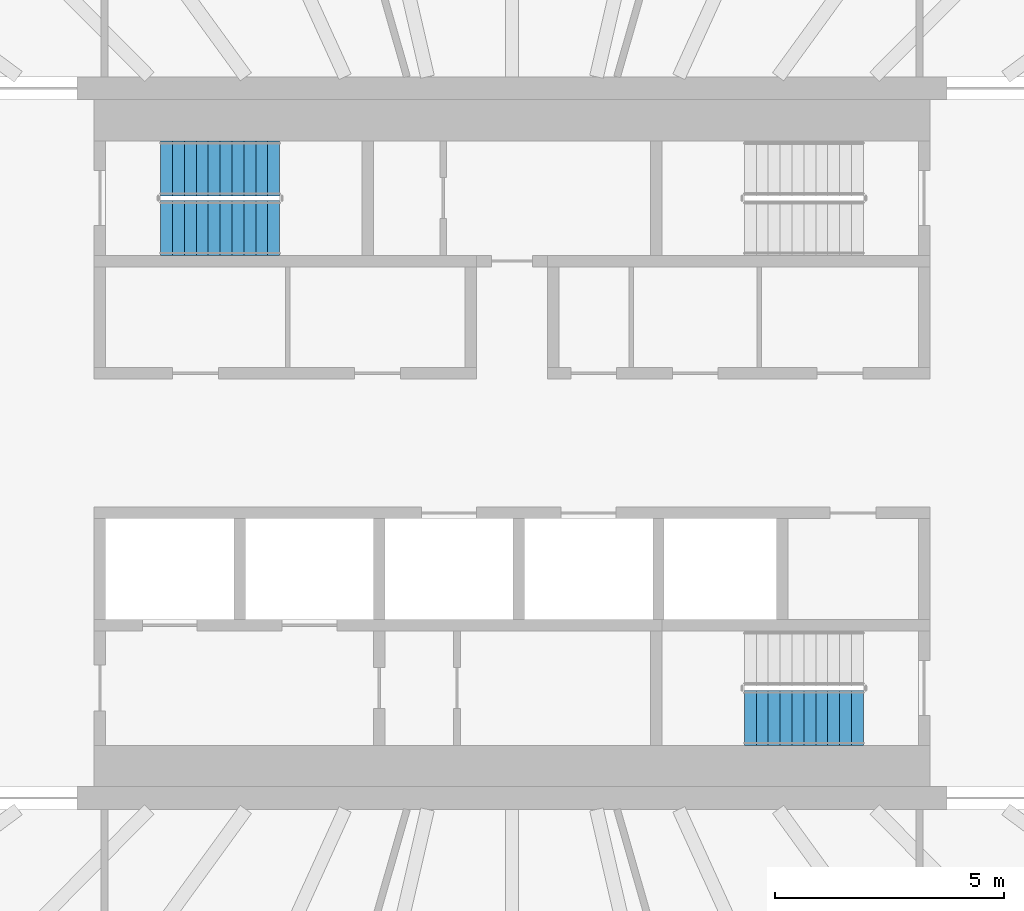
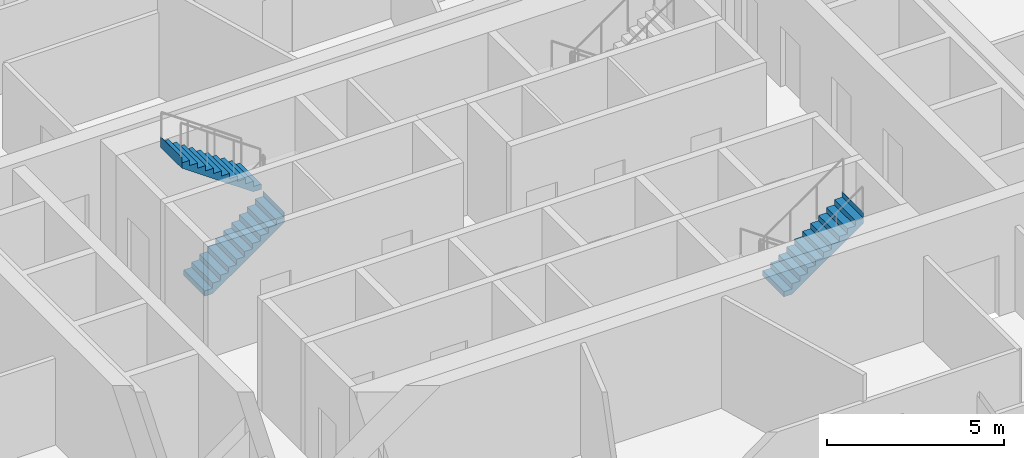
# One storey, part 16 of 24: 3 stair flights, 2 elements without a shape of their own.
"""IFC4 building model written with IfcOpenShell, lengths in metres."""

from ifc_helpers import new_model, si_unit, direction, frame, origin, place, context, subcontext, project, spatial, triangles, material, type_object, element, aggregate, save


model = new_model("IFC4")

# Units and contexts
model_context = context("Model", 3, precision=1e-05, world=origin(), true_north=direction((0.0, 1.0)))
body_context = subcontext(model_context, "Body", "Model", "MODEL_VIEW")
ifc_project = project(units=[si_unit("LENGTHUNIT", "METRE"), si_unit("AREAUNIT", "SQUARE_METRE"), si_unit("VOLUMEUNIT", "CUBIC_METRE"), si_unit("PLANEANGLEUNIT", "RADIAN"), si_unit("MASSUNIT", "GRAM", prefix="KILO")], contexts=[model_context])

# Site, building, storey
site_placement = place(None, origin())
site = spatial("IfcSite", under=ifc_project, at=site_placement, CompositionType="ELEMENT")
building_placement = place(site_placement, origin())
building = spatial("IfcBuilding", under=site, at=building_placement, Name="Sahrelin Media Tower", CompositionType="ELEMENT")
storey_placement = place(building_placement, frame((0.0, 0.0, 153.60009765625)))
storey = spatial("IfcBuildingStorey", under=building, at=storey_placement, Name="L31", CompositionType="ELEMENT", Elevation=153.60009765625)

# Stair, stair flights
ifc_material = material(Name="Concrete C40/50", Category="concrete")
stair_type = type_object("IfcStairType", Name="Exit stair 1200", PredefinedType="HALF_TURN_STAIR", material=ifc_material)
placement = place(storey_placement, origin())
stair_1 = element("IfcStair", 1, at=placement, inside=storey, type_object=stair_type, Name="L31 Exit stair ST1", PredefinedType="HALF_TURN_STAIR")
stair_flight_type = type_object("IfcStairFlightType", Name="Stair flight 1200", PredefinedType="STRAIGHT", material=ifc_material)
stair_flight_1_placement = place(storey_placement, frame((-7.675048828125, 4.699951171875, 0.0), z_axis=(0.0, 0.0, 1.0), x_axis=(1.0, 0.0, 0.0)))
stair_flight_1 = element("IfcStairFlight", 2, at=stair_flight_1_placement, type_object=stair_flight_type, Name="ST1 flight 1", NumberOfRisers=11, NumberOfTreads=10, PredefinedType="STRAIGHT", RiserHeight=0.181818182, TreadLength=0.26, context=body_context, shape_type="Tessellation", body=[
    triangles([(0.261474609375, 0.60009765625, 0.0), (0.261474609375, 0.300048828125, 0.0), (0.261474609375, 0.0, 0.0), (0.261474609375, -0.300048828125, 0.0), (0.261474609375, -0.60009765625, 0.0), (2.60009765625, 0.60009765625, 1.63525390625), (2.60009765625, 0.300048828125, 1.63525390625), (2.60009765625, 0.0, 1.63525390625), (2.60009765625, -0.300048828125, 1.63525390625), (2.60009765625, -0.60009765625, 1.63525390625), (2.60009765625, 0.60009765625, 2.0), (2.60009765625, 0.300048828125, 2.0), (2.60009765625, 0.0, 2.0), (2.60009765625, -0.300048828125, 2.0), (2.60009765625, -0.60009765625, 2.0), (2.597900390625, 0.60009765625, 2.0), (2.597900390625, 0.300048828125, 2.0), (2.597900390625, 0.0, 2.0), (2.597900390625, -0.300048828125, 2.0), (2.597900390625, -0.60009765625, 2.0), (2.597900390625, 0.60009765625, 1.818115234375), (2.597900390625, 0.300048828125, 1.818115234375), (2.597900390625, 0.0, 1.818115234375), (2.597900390625, -0.300048828125, 1.818115234375), (2.597900390625, -0.60009765625, 1.818115234375), (2.340087890625, 0.60009765625, 1.818115234375), (2.340087890625, 0.300048828125, 1.818115234375), (2.340087890625, 0.0, 1.818115234375), (2.340087890625, -0.300048828125, 1.818115234375), (2.340087890625, -0.60009765625, 1.818115234375), (2.340087890625, 0.60009765625, 1.636474609375), (2.340087890625, 0.300048828125, 1.636474609375), (2.340087890625, 0.0, 1.636474609375), (2.340087890625, -0.300048828125, 1.636474609375), (2.340087890625, -0.60009765625, 1.636474609375), (2.080078125, 0.60009765625, 1.636474609375), (2.080078125, 0.300048828125, 1.636474609375), (2.080078125, 0.0, 1.636474609375), (2.080078125, -0.300048828125, 1.636474609375), (2.080078125, -0.60009765625, 1.636474609375), (2.080078125, 0.60009765625, 1.45458984375), (2.080078125, 0.300048828125, 1.45458984375), (2.080078125, 0.0, 1.45458984375), (2.080078125, -0.300048828125, 1.45458984375), (2.080078125, -0.60009765625, 1.45458984375), (1.820068359375, 0.60009765625, 1.45458984375), (1.820068359375, 0.300048828125, 1.45458984375), (1.820068359375, 0.0, 1.45458984375), (1.820068359375, -0.300048828125, 1.45458984375), (1.820068359375, -0.60009765625, 1.45458984375), (1.820068359375, 0.60009765625, 1.272705078125), (1.820068359375, 0.300048828125, 1.272705078125), (1.820068359375, 0.0, 1.272705078125), (1.820068359375, -0.300048828125, 1.272705078125), (1.820068359375, -0.60009765625, 1.272705078125), (1.56005859375, 0.60009765625, 1.272705078125), (1.56005859375, 0.300048828125, 1.272705078125), (1.56005859375, 0.0, 1.272705078125), (1.56005859375, -0.300048828125, 1.272705078125), (1.56005859375, -0.60009765625, 1.272705078125), (1.56005859375, 0.60009765625, 1.0908203125), (1.56005859375, 0.300048828125, 1.0908203125), (1.56005859375, 0.0, 1.0908203125), (1.56005859375, -0.300048828125, 1.0908203125), (1.56005859375, -0.60009765625, 1.0908203125), (1.300048828125, 0.60009765625, 1.0908203125), (1.300048828125, 0.300048828125, 1.0908203125), (1.300048828125, 0.0, 1.0908203125), (1.300048828125, -0.300048828125, 1.0908203125), (1.300048828125, -0.60009765625, 1.0908203125), (1.300048828125, 0.60009765625, 0.9091796875), (1.300048828125, 0.300048828125, 0.9091796875), (1.300048828125, 0.0, 0.9091796875), (1.300048828125, -0.300048828125, 0.9091796875), (1.300048828125, -0.60009765625, 0.9091796875), (1.0400390625, 0.60009765625, 0.9091796875), (1.0400390625, 0.300048828125, 0.9091796875), (1.0400390625, 0.0, 0.9091796875), (1.0400390625, -0.300048828125, 0.9091796875), (1.0400390625, -0.60009765625, 0.9091796875), (1.0400390625, 0.60009765625, 0.727294921875), (1.0400390625, 0.300048828125, 0.727294921875), (1.0400390625, 0.0, 0.727294921875), (1.0400390625, -0.300048828125, 0.727294921875), (1.0400390625, -0.60009765625, 0.727294921875), (0.780029296875, 0.60009765625, 0.727294921875), (0.780029296875, 0.300048828125, 0.727294921875), (0.780029296875, 0.0, 0.727294921875), (0.780029296875, -0.300048828125, 0.727294921875), (0.780029296875, -0.60009765625, 0.727294921875), (0.780029296875, 0.60009765625, 0.54541015625), (0.780029296875, 0.300048828125, 0.54541015625), (0.780029296875, 0.0, 0.54541015625), (0.780029296875, -0.300048828125, 0.54541015625), (0.780029296875, -0.60009765625, 0.54541015625), (0.52001953125, 0.60009765625, 0.54541015625), (0.52001953125, 0.300048828125, 0.54541015625), (0.52001953125, 0.0, 0.54541015625), (0.52001953125, -0.300048828125, 0.54541015625), (0.52001953125, -0.60009765625, 0.54541015625), (0.52001953125, 0.60009765625, 0.363525390625), (0.52001953125, 0.300048828125, 0.363525390625), (0.52001953125, 0.0, 0.363525390625), (0.52001953125, -0.300048828125, 0.363525390625), (0.52001953125, -0.60009765625, 0.363525390625), (0.260009765625, 0.60009765625, 0.363525390625), (0.260009765625, 0.300048828125, 0.363525390625), (0.260009765625, 0.0, 0.363525390625), (0.260009765625, -0.300048828125, 0.363525390625), (0.260009765625, -0.60009765625, 0.363525390625), (0.260009765625, 0.60009765625, 0.181884765625), (0.260009765625, 0.300048828125, 0.181884765625), (0.260009765625, 0.0, 0.181884765625), (0.260009765625, -0.300048828125, 0.181884765625), (0.260009765625, -0.60009765625, 0.181884765625), (0.0, 0.60009765625, 0.181884765625), (0.0, 0.300048828125, 0.181884765625), (0.0, 0.0, 0.181884765625), (0.0, -0.300048828125, 0.181884765625), (0.0, -0.60009765625, 0.181884765625), (0.0, 0.60009765625, 0.0), (0.0, 0.300048828125, 0.0), (0.0, 0.0, 0.0), (0.0, -0.300048828125, 0.0), (0.0, -0.60009765625, 0.0)], [[1, 6, 7], [1, 7, 2], [2, 7, 8], [2, 8, 3], [3, 8, 9], [3, 9, 4], [4, 9, 10], [4, 10, 5], [6, 11, 12], [6, 12, 7], [7, 12, 13], [7, 13, 8], [8, 13, 14], [8, 14, 9], [9, 14, 15], [9, 15, 10], [11, 16, 17], [11, 17, 12], [12, 17, 18], [12, 18, 13], [13, 18, 19], [13, 19, 14], [14, 19, 20], [14, 20, 15], [16, 21, 22], [16, 22, 17], [17, 22, 23], [17, 23, 18], [18, 23, 24], [18, 24, 19], [19, 24, 25], [19, 25, 20], [21, 26, 27], [21, 27, 22], [22, 27, 28], [22, 28, 23], [23, 28, 29], [23, 29, 24], [24, 29, 30], [24, 30, 25], [26, 31, 32], [26, 32, 27], [27, 32, 33], [27, 33, 28], [28, 33, 34], [28, 34, 29], [29, 34, 35], [29, 35, 30], [31, 36, 37], [31, 37, 32], [32, 37, 38], [32, 38, 33], [33, 38, 39], [33, 39, 34], [34, 39, 40], [34, 40, 35], [36, 41, 42], [36, 42, 37], [37, 42, 43], [37, 43, 38], [38, 43, 44], [38, 44, 39], [39, 44, 45], [39, 45, 40], [41, 46, 47], [41, 47, 42], [42, 47, 48], [42, 48, 43], [43, 48, 49], [43, 49, 44], [44, 49, 50], [44, 50, 45], [46, 51, 52], [46, 52, 47], [47, 52, 53], [47, 53, 48], [48, 53, 54], [48, 54, 49], [49, 54, 55], [49, 55, 50], [51, 56, 57], [51, 57, 52], [52, 57, 58], [52, 58, 53], [53, 58, 59], [53, 59, 54], [54, 59, 60], [54, 60, 55], [56, 61, 62], [56, 62, 57], [57, 62, 63], [57, 63, 58], [58, 63, 64], [58, 64, 59], [59, 64, 65], [59, 65, 60], [61, 66, 67], [61, 67, 62], [62, 67, 68], [62, 68, 63], [63, 68, 69], [63, 69, 64], [64, 69, 70], [64, 70, 65], [66, 71, 72], [66, 72, 67], [67, 72, 73], [67, 73, 68], [68, 73, 74], [68, 74, 69], [69, 74, 75], [69, 75, 70], [71, 76, 77], [71, 77, 72], [72, 77, 78], [72, 78, 73], [73, 78, 79], [73, 79, 74], [74, 79, 80], [74, 80, 75], [76, 81, 82], [76, 82, 77], [77, 82, 83], [77, 83, 78], [78, 83, 84], [78, 84, 79], [79, 84, 85], [79, 85, 80], [81, 86, 87], [81, 87, 82], [82, 87, 88], [82, 88, 83], [83, 88, 89], [83, 89, 84], [84, 89, 90], [84, 90, 85], [86, 91, 92], [86, 92, 87], [87, 92, 93], [87, 93, 88], [88, 93, 94], [88, 94, 89], [89, 94, 95], [89, 95, 90], [91, 96, 97], [91, 97, 92], [92, 97, 98], [92, 98, 93], [93, 98, 99], [93, 99, 94], [94, 99, 100], [94, 100, 95], [96, 101, 102], [96, 102, 97], [97, 102, 103], [97, 103, 98], [98, 103, 104], [98, 104, 99], [99, 104, 105], [99, 105, 100], [101, 106, 107], [101, 107, 102], [102, 107, 108], [102, 108, 103], [103, 108, 109], [103, 109, 104], [104, 109, 110], [104, 110, 105], [106, 111, 112], [106, 112, 107], [107, 112, 113], [107, 113, 108], [108, 113, 114], [108, 114, 109], [109, 114, 115], [109, 115, 110], [111, 116, 117], [111, 117, 112], [112, 117, 118], [112, 118, 113], [113, 118, 119], [113, 119, 114], [114, 119, 120], [114, 120, 115], [116, 121, 122], [116, 122, 117], [117, 122, 123], [117, 123, 118], [118, 123, 124], [118, 124, 119], [119, 124, 125], [119, 125, 120], [121, 1, 2], [121, 2, 122], [122, 2, 3], [122, 3, 123], [123, 3, 4], [123, 4, 124], [124, 4, 5], [124, 5, 125], [115, 120, 125], [111, 121, 116], [115, 105, 110], [111, 106, 101], [105, 95, 100], [101, 96, 91], [95, 85, 90], [91, 86, 81], [85, 75, 80], [81, 76, 71], [75, 65, 70], [71, 66, 61], [65, 55, 60], [61, 56, 51], [55, 45, 50], [51, 46, 41], [45, 35, 40], [41, 36, 31], [35, 25, 30], [31, 26, 21], [25, 15, 20], [21, 16, 11], [125, 5, 115], [121, 111, 1], [25, 10, 15], [21, 11, 6], [105, 115, 5], [101, 1, 111], [35, 10, 25], [31, 21, 6], [95, 105, 5], [91, 1, 101], [45, 10, 35], [41, 31, 6], [85, 95, 5], [81, 1, 91], [55, 10, 45], [51, 41, 6], [75, 85, 5], [71, 1, 81], [65, 10, 55], [61, 51, 6], [5, 10, 75], [1, 71, 6], [75, 10, 65], [71, 61, 6]], closed=True),
])
stair_flight_2_placement = place(storey_placement, frame((-5.074951171875, 6.0, 2.0), z_axis=(0.0, 0.0, 1.0), x_axis=(-1.0, 0.0, 0.0)))
stair_flight_2 = element("IfcStairFlight", 3, at=stair_flight_2_placement, type_object=stair_flight_type, Name="ST1 flight 2", NumberOfRisers=11, NumberOfTreads=10, PredefinedType="STRAIGHT", RiserHeight=0.181818182, TreadLength=0.26, context=body_context, shape_type="Tessellation", body=[
    triangles([(0.261474609375, 0.60009765625, 0.0), (0.261474609375, 0.300048828125, 0.0), (0.261474609375, 0.0, 0.0), (0.261474609375, -0.300048828125, 0.0), (0.261474609375, -0.60009765625, 0.0), (2.60009765625, 0.60009765625, 1.63525390625), (2.60009765625, 0.300048828125, 1.63525390625), (2.60009765625, 0.0, 1.63525390625), (2.60009765625, -0.300048828125, 1.63525390625), (2.60009765625, -0.60009765625, 1.63525390625), (2.60009765625, 0.60009765625, 2.0), (2.60009765625, 0.300048828125, 2.0), (2.60009765625, 0.0, 2.0), (2.60009765625, -0.300048828125, 2.0), (2.60009765625, -0.60009765625, 2.0), (2.597900390625, 0.60009765625, 2.0), (2.597900390625, 0.300048828125, 2.0), (2.597900390625, 0.0, 2.0), (2.597900390625, -0.300048828125, 2.0), (2.597900390625, -0.60009765625, 2.0), (2.597900390625, 0.60009765625, 1.818115234375), (2.597900390625, 0.300048828125, 1.818115234375), (2.597900390625, 0.0, 1.818115234375), (2.597900390625, -0.300048828125, 1.818115234375), (2.597900390625, -0.60009765625, 1.818115234375), (2.340087890625, 0.60009765625, 1.818115234375), (2.340087890625, 0.300048828125, 1.818115234375), (2.340087890625, 0.0, 1.818115234375), (2.340087890625, -0.300048828125, 1.818115234375), (2.340087890625, -0.60009765625, 1.818115234375), (2.340087890625, 0.60009765625, 1.636474609375), (2.340087890625, 0.300048828125, 1.636474609375), (2.340087890625, 0.0, 1.636474609375), (2.340087890625, -0.300048828125, 1.636474609375), (2.340087890625, -0.60009765625, 1.636474609375), (2.080078125, 0.60009765625, 1.636474609375), (2.080078125, 0.300048828125, 1.636474609375), (2.080078125, 0.0, 1.636474609375), (2.080078125, -0.300048828125, 1.636474609375), (2.080078125, -0.60009765625, 1.636474609375), (2.080078125, 0.60009765625, 1.45458984375), (2.080078125, 0.300048828125, 1.45458984375), (2.080078125, 0.0, 1.45458984375), (2.080078125, -0.300048828125, 1.45458984375), (2.080078125, -0.60009765625, 1.45458984375), (1.820068359375, 0.60009765625, 1.45458984375), (1.820068359375, 0.300048828125, 1.45458984375), (1.820068359375, 0.0, 1.45458984375), (1.820068359375, -0.300048828125, 1.45458984375), (1.820068359375, -0.60009765625, 1.45458984375), (1.820068359375, 0.60009765625, 1.272705078125), (1.820068359375, 0.300048828125, 1.272705078125), (1.820068359375, 0.0, 1.272705078125), (1.820068359375, -0.300048828125, 1.272705078125), (1.820068359375, -0.60009765625, 1.272705078125), (1.56005859375, 0.60009765625, 1.272705078125), (1.56005859375, 0.300048828125, 1.272705078125), (1.56005859375, 0.0, 1.272705078125), (1.56005859375, -0.300048828125, 1.272705078125), (1.56005859375, -0.60009765625, 1.272705078125), (1.56005859375, 0.60009765625, 1.0908203125), (1.56005859375, 0.300048828125, 1.0908203125), (1.56005859375, 0.0, 1.0908203125), (1.56005859375, -0.300048828125, 1.0908203125), (1.56005859375, -0.60009765625, 1.0908203125), (1.300048828125, 0.60009765625, 1.0908203125), (1.300048828125, 0.300048828125, 1.0908203125), (1.300048828125, 0.0, 1.0908203125), (1.300048828125, -0.300048828125, 1.0908203125), (1.300048828125, -0.60009765625, 1.0908203125), (1.300048828125, 0.60009765625, 0.9091796875), (1.300048828125, 0.300048828125, 0.9091796875), (1.300048828125, 0.0, 0.9091796875), (1.300048828125, -0.300048828125, 0.9091796875), (1.300048828125, -0.60009765625, 0.9091796875), (1.0400390625, 0.60009765625, 0.9091796875), (1.0400390625, 0.300048828125, 0.9091796875), (1.0400390625, 0.0, 0.9091796875), (1.0400390625, -0.300048828125, 0.9091796875), (1.0400390625, -0.60009765625, 0.9091796875), (1.0400390625, 0.60009765625, 0.727294921875), (1.0400390625, 0.300048828125, 0.727294921875), (1.0400390625, 0.0, 0.727294921875), (1.0400390625, -0.300048828125, 0.727294921875), (1.0400390625, -0.60009765625, 0.727294921875), (0.780029296875, 0.60009765625, 0.727294921875), (0.780029296875, 0.300048828125, 0.727294921875), (0.780029296875, 0.0, 0.727294921875), (0.780029296875, -0.300048828125, 0.727294921875), (0.780029296875, -0.60009765625, 0.727294921875), (0.780029296875, 0.60009765625, 0.54541015625), (0.780029296875, 0.300048828125, 0.54541015625), (0.780029296875, 0.0, 0.54541015625), (0.780029296875, -0.300048828125, 0.54541015625), (0.780029296875, -0.60009765625, 0.54541015625), (0.52001953125, 0.60009765625, 0.54541015625), (0.52001953125, 0.300048828125, 0.54541015625), (0.52001953125, 0.0, 0.54541015625), (0.52001953125, -0.300048828125, 0.54541015625), (0.52001953125, -0.60009765625, 0.54541015625), (0.52001953125, 0.60009765625, 0.363525390625), (0.52001953125, 0.300048828125, 0.363525390625), (0.52001953125, 0.0, 0.363525390625), (0.52001953125, -0.300048828125, 0.363525390625), (0.52001953125, -0.60009765625, 0.363525390625), (0.260009765625, 0.60009765625, 0.363525390625), (0.260009765625, 0.300048828125, 0.363525390625), (0.260009765625, 0.0, 0.363525390625), (0.260009765625, -0.300048828125, 0.363525390625), (0.260009765625, -0.60009765625, 0.363525390625), (0.260009765625, 0.60009765625, 0.181884765625), (0.260009765625, 0.300048828125, 0.181884765625), (0.260009765625, 0.0, 0.181884765625), (0.260009765625, -0.300048828125, 0.181884765625), (0.260009765625, -0.60009765625, 0.181884765625), (0.0, 0.60009765625, 0.181884765625), (0.0, 0.300048828125, 0.181884765625), (0.0, 0.0, 0.181884765625), (0.0, -0.300048828125, 0.181884765625), (0.0, -0.60009765625, 0.181884765625), (0.0, 0.60009765625, 0.0), (0.0, 0.300048828125, 0.0), (0.0, 0.0, 0.0), (0.0, -0.300048828125, 0.0), (0.0, -0.60009765625, 0.0)], [[1, 6, 7], [1, 7, 2], [2, 7, 8], [2, 8, 3], [3, 8, 9], [3, 9, 4], [4, 9, 10], [4, 10, 5], [6, 11, 12], [6, 12, 7], [7, 12, 13], [7, 13, 8], [8, 13, 14], [8, 14, 9], [9, 14, 15], [9, 15, 10], [11, 16, 17], [11, 17, 12], [12, 17, 18], [12, 18, 13], [13, 18, 19], [13, 19, 14], [14, 19, 20], [14, 20, 15], [16, 21, 22], [16, 22, 17], [17, 22, 23], [17, 23, 18], [18, 23, 24], [18, 24, 19], [19, 24, 25], [19, 25, 20], [21, 26, 27], [21, 27, 22], [22, 27, 28], [22, 28, 23], [23, 28, 29], [23, 29, 24], [24, 29, 30], [24, 30, 25], [26, 31, 32], [26, 32, 27], [27, 32, 33], [27, 33, 28], [28, 33, 34], [28, 34, 29], [29, 34, 35], [29, 35, 30], [31, 36, 37], [31, 37, 32], [32, 37, 38], [32, 38, 33], [33, 38, 39], [33, 39, 34], [34, 39, 40], [34, 40, 35], [36, 41, 42], [36, 42, 37], [37, 42, 43], [37, 43, 38], [38, 43, 44], [38, 44, 39], [39, 44, 45], [39, 45, 40], [41, 46, 47], [41, 47, 42], [42, 47, 48], [42, 48, 43], [43, 48, 49], [43, 49, 44], [44, 49, 50], [44, 50, 45], [46, 51, 52], [46, 52, 47], [47, 52, 53], [47, 53, 48], [48, 53, 54], [48, 54, 49], [49, 54, 55], [49, 55, 50], [51, 56, 57], [51, 57, 52], [52, 57, 58], [52, 58, 53], [53, 58, 59], [53, 59, 54], [54, 59, 60], [54, 60, 55], [56, 61, 62], [56, 62, 57], [57, 62, 63], [57, 63, 58], [58, 63, 64], [58, 64, 59], [59, 64, 65], [59, 65, 60], [61, 66, 67], [61, 67, 62], [62, 67, 68], [62, 68, 63], [63, 68, 69], [63, 69, 64], [64, 69, 70], [64, 70, 65], [66, 71, 72], [66, 72, 67], [67, 72, 73], [67, 73, 68], [68, 73, 74], [68, 74, 69], [69, 74, 75], [69, 75, 70], [71, 76, 77], [71, 77, 72], [72, 77, 78], [72, 78, 73], [73, 78, 79], [73, 79, 74], [74, 79, 80], [74, 80, 75], [76, 81, 82], [76, 82, 77], [77, 82, 83], [77, 83, 78], [78, 83, 84], [78, 84, 79], [79, 84, 85], [79, 85, 80], [81, 86, 87], [81, 87, 82], [82, 87, 88], [82, 88, 83], [83, 88, 89], [83, 89, 84], [84, 89, 90], [84, 90, 85], [86, 91, 92], [86, 92, 87], [87, 92, 93], [87, 93, 88], [88, 93, 94], [88, 94, 89], [89, 94, 95], [89, 95, 90], [91, 96, 97], [91, 97, 92], [92, 97, 98], [92, 98, 93], [93, 98, 99], [93, 99, 94], [94, 99, 100], [94, 100, 95], [96, 101, 102], [96, 102, 97], [97, 102, 103], [97, 103, 98], [98, 103, 104], [98, 104, 99], [99, 104, 105], [99, 105, 100], [101, 106, 107], [101, 107, 102], [102, 107, 108], [102, 108, 103], [103, 108, 109], [103, 109, 104], [104, 109, 110], [104, 110, 105], [106, 111, 112], [106, 112, 107], [107, 112, 113], [107, 113, 108], [108, 113, 114], [108, 114, 109], [109, 114, 115], [109, 115, 110], [111, 116, 117], [111, 117, 112], [112, 117, 118], [112, 118, 113], [113, 118, 119], [113, 119, 114], [114, 119, 120], [114, 120, 115], [116, 121, 122], [116, 122, 117], [117, 122, 123], [117, 123, 118], [118, 123, 124], [118, 124, 119], [119, 124, 125], [119, 125, 120], [121, 1, 2], [121, 2, 122], [122, 2, 3], [122, 3, 123], [123, 3, 4], [123, 4, 124], [124, 4, 5], [124, 5, 125], [115, 120, 125], [111, 121, 116], [115, 105, 110], [111, 106, 101], [105, 95, 100], [101, 96, 91], [95, 85, 90], [91, 86, 81], [85, 75, 80], [81, 76, 71], [75, 65, 70], [71, 66, 61], [65, 55, 60], [61, 56, 51], [55, 45, 50], [51, 46, 41], [45, 35, 40], [41, 36, 31], [35, 25, 30], [31, 26, 21], [25, 15, 20], [21, 16, 11], [125, 5, 115], [121, 111, 1], [25, 10, 15], [21, 11, 6], [105, 115, 5], [101, 1, 111], [35, 10, 25], [31, 21, 6], [95, 105, 5], [91, 1, 101], [45, 10, 35], [41, 31, 6], [85, 95, 5], [81, 1, 91], [55, 10, 45], [51, 41, 6], [75, 85, 5], [71, 1, 81], [65, 10, 55], [61, 51, 6], [5, 10, 75], [1, 71, 6], [75, 10, 65], [71, 61, 6]], closed=True),
])
aggregate(stair_1, [stair_flight_1, stair_flight_2])

# Stair, stair flight
stair_2 = element("IfcStair", 4, at=placement, inside=storey, type_object=stair_type, Name="L31 Exit stair ST2", PredefinedType="HALF_TURN_STAIR")
stair_flight_3_placement = place(storey_placement, frame((5.074951171875, -6.0, 2.0), z_axis=(0.0, 0.0, 1.0), x_axis=(1.0, 0.0, 0.0)))
stair_flight_3 = element("IfcStairFlight", 5, at=stair_flight_3_placement, type_object=stair_flight_type, Name="ST2 flight 2", NumberOfRisers=11, NumberOfTreads=10, PredefinedType="STRAIGHT", RiserHeight=0.181818182, TreadLength=0.26, context=body_context, shape_type="Tessellation", body=[
    triangles([(0.261474609375, 0.60009765625, 0.0), (0.261474609375, 0.300048828125, 0.0), (0.261474609375, 0.0, 0.0), (0.261474609375, -0.300048828125, 0.0), (0.261474609375, -0.60009765625, 0.0), (2.60009765625, 0.60009765625, 1.63525390625), (2.60009765625, 0.300048828125, 1.63525390625), (2.60009765625, 0.0, 1.63525390625), (2.60009765625, -0.300048828125, 1.63525390625), (2.60009765625, -0.60009765625, 1.63525390625), (2.60009765625, 0.60009765625, 2.0), (2.60009765625, 0.300048828125, 2.0), (2.60009765625, 0.0, 2.0), (2.60009765625, -0.300048828125, 2.0), (2.60009765625, -0.60009765625, 2.0), (2.597900390625, 0.60009765625, 2.0), (2.597900390625, 0.300048828125, 2.0), (2.597900390625, 0.0, 2.0), (2.597900390625, -0.300048828125, 2.0), (2.597900390625, -0.60009765625, 2.0), (2.597900390625, 0.60009765625, 1.818115234375), (2.597900390625, 0.300048828125, 1.818115234375), (2.597900390625, 0.0, 1.818115234375), (2.597900390625, -0.300048828125, 1.818115234375), (2.597900390625, -0.60009765625, 1.818115234375), (2.340087890625, 0.60009765625, 1.818115234375), (2.340087890625, 0.300048828125, 1.818115234375), (2.340087890625, 0.0, 1.818115234375), (2.340087890625, -0.300048828125, 1.818115234375), (2.340087890625, -0.60009765625, 1.818115234375), (2.340087890625, 0.60009765625, 1.636474609375), (2.340087890625, 0.300048828125, 1.636474609375), (2.340087890625, 0.0, 1.636474609375), (2.340087890625, -0.300048828125, 1.636474609375), (2.340087890625, -0.60009765625, 1.636474609375), (2.080078125, 0.60009765625, 1.636474609375), (2.080078125, 0.300048828125, 1.636474609375), (2.080078125, 0.0, 1.636474609375), (2.080078125, -0.300048828125, 1.636474609375), (2.080078125, -0.60009765625, 1.636474609375), (2.080078125, 0.60009765625, 1.45458984375), (2.080078125, 0.300048828125, 1.45458984375), (2.080078125, 0.0, 1.45458984375), (2.080078125, -0.300048828125, 1.45458984375), (2.080078125, -0.60009765625, 1.45458984375), (1.820068359375, 0.60009765625, 1.45458984375), (1.820068359375, 0.300048828125, 1.45458984375), (1.820068359375, 0.0, 1.45458984375), (1.820068359375, -0.300048828125, 1.45458984375), (1.820068359375, -0.60009765625, 1.45458984375), (1.820068359375, 0.60009765625, 1.272705078125), (1.820068359375, 0.300048828125, 1.272705078125), (1.820068359375, 0.0, 1.272705078125), (1.820068359375, -0.300048828125, 1.272705078125), (1.820068359375, -0.60009765625, 1.272705078125), (1.56005859375, 0.60009765625, 1.272705078125), (1.56005859375, 0.300048828125, 1.272705078125), (1.56005859375, 0.0, 1.272705078125), (1.56005859375, -0.300048828125, 1.272705078125), (1.56005859375, -0.60009765625, 1.272705078125), (1.56005859375, 0.60009765625, 1.0908203125), (1.56005859375, 0.300048828125, 1.0908203125), (1.56005859375, 0.0, 1.0908203125), (1.56005859375, -0.300048828125, 1.0908203125), (1.56005859375, -0.60009765625, 1.0908203125), (1.300048828125, 0.60009765625, 1.0908203125), (1.300048828125, 0.300048828125, 1.0908203125), (1.300048828125, 0.0, 1.0908203125), (1.300048828125, -0.300048828125, 1.0908203125), (1.300048828125, -0.60009765625, 1.0908203125), (1.300048828125, 0.60009765625, 0.9091796875), (1.300048828125, 0.300048828125, 0.9091796875), (1.300048828125, 0.0, 0.9091796875), (1.300048828125, -0.300048828125, 0.9091796875), (1.300048828125, -0.60009765625, 0.9091796875), (1.0400390625, 0.60009765625, 0.9091796875), (1.0400390625, 0.300048828125, 0.9091796875), (1.0400390625, 0.0, 0.9091796875), (1.0400390625, -0.300048828125, 0.9091796875), (1.0400390625, -0.60009765625, 0.9091796875), (1.0400390625, 0.60009765625, 0.727294921875), (1.0400390625, 0.300048828125, 0.727294921875), (1.0400390625, 0.0, 0.727294921875), (1.0400390625, -0.300048828125, 0.727294921875), (1.0400390625, -0.60009765625, 0.727294921875), (0.780029296875, 0.60009765625, 0.727294921875), (0.780029296875, 0.300048828125, 0.727294921875), (0.780029296875, 0.0, 0.727294921875), (0.780029296875, -0.300048828125, 0.727294921875), (0.780029296875, -0.60009765625, 0.727294921875), (0.780029296875, 0.60009765625, 0.54541015625), (0.780029296875, 0.300048828125, 0.54541015625), (0.780029296875, 0.0, 0.54541015625), (0.780029296875, -0.300048828125, 0.54541015625), (0.780029296875, -0.60009765625, 0.54541015625), (0.52001953125, 0.60009765625, 0.54541015625), (0.52001953125, 0.300048828125, 0.54541015625), (0.52001953125, 0.0, 0.54541015625), (0.52001953125, -0.300048828125, 0.54541015625), (0.52001953125, -0.60009765625, 0.54541015625), (0.52001953125, 0.60009765625, 0.363525390625), (0.52001953125, 0.300048828125, 0.363525390625), (0.52001953125, 0.0, 0.363525390625), (0.52001953125, -0.300048828125, 0.363525390625), (0.52001953125, -0.60009765625, 0.363525390625), (0.260009765625, 0.60009765625, 0.363525390625), (0.260009765625, 0.300048828125, 0.363525390625), (0.260009765625, 0.0, 0.363525390625), (0.260009765625, -0.300048828125, 0.363525390625), (0.260009765625, -0.60009765625, 0.363525390625), (0.260009765625, 0.60009765625, 0.181884765625), (0.260009765625, 0.300048828125, 0.181884765625), (0.260009765625, 0.0, 0.181884765625), (0.260009765625, -0.300048828125, 0.181884765625), (0.260009765625, -0.60009765625, 0.181884765625), (0.0, 0.60009765625, 0.181884765625), (0.0, 0.300048828125, 0.181884765625), (0.0, 0.0, 0.181884765625), (0.0, -0.300048828125, 0.181884765625), (0.0, -0.60009765625, 0.181884765625), (0.0, 0.60009765625, 0.0), (0.0, 0.300048828125, 0.0), (0.0, 0.0, 0.0), (0.0, -0.300048828125, 0.0), (0.0, -0.60009765625, 0.0)], [[1, 6, 7], [1, 7, 2], [2, 7, 8], [2, 8, 3], [3, 8, 9], [3, 9, 4], [4, 9, 10], [4, 10, 5], [6, 11, 12], [6, 12, 7], [7, 12, 13], [7, 13, 8], [8, 13, 14], [8, 14, 9], [9, 14, 15], [9, 15, 10], [11, 16, 17], [11, 17, 12], [12, 17, 18], [12, 18, 13], [13, 18, 19], [13, 19, 14], [14, 19, 20], [14, 20, 15], [16, 21, 22], [16, 22, 17], [17, 22, 23], [17, 23, 18], [18, 23, 24], [18, 24, 19], [19, 24, 25], [19, 25, 20], [21, 26, 27], [21, 27, 22], [22, 27, 28], [22, 28, 23], [23, 28, 29], [23, 29, 24], [24, 29, 30], [24, 30, 25], [26, 31, 32], [26, 32, 27], [27, 32, 33], [27, 33, 28], [28, 33, 34], [28, 34, 29], [29, 34, 35], [29, 35, 30], [31, 36, 37], [31, 37, 32], [32, 37, 38], [32, 38, 33], [33, 38, 39], [33, 39, 34], [34, 39, 40], [34, 40, 35], [36, 41, 42], [36, 42, 37], [37, 42, 43], [37, 43, 38], [38, 43, 44], [38, 44, 39], [39, 44, 45], [39, 45, 40], [41, 46, 47], [41, 47, 42], [42, 47, 48], [42, 48, 43], [43, 48, 49], [43, 49, 44], [44, 49, 50], [44, 50, 45], [46, 51, 52], [46, 52, 47], [47, 52, 53], [47, 53, 48], [48, 53, 54], [48, 54, 49], [49, 54, 55], [49, 55, 50], [51, 56, 57], [51, 57, 52], [52, 57, 58], [52, 58, 53], [53, 58, 59], [53, 59, 54], [54, 59, 60], [54, 60, 55], [56, 61, 62], [56, 62, 57], [57, 62, 63], [57, 63, 58], [58, 63, 64], [58, 64, 59], [59, 64, 65], [59, 65, 60], [61, 66, 67], [61, 67, 62], [62, 67, 68], [62, 68, 63], [63, 68, 69], [63, 69, 64], [64, 69, 70], [64, 70, 65], [66, 71, 72], [66, 72, 67], [67, 72, 73], [67, 73, 68], [68, 73, 74], [68, 74, 69], [69, 74, 75], [69, 75, 70], [71, 76, 77], [71, 77, 72], [72, 77, 78], [72, 78, 73], [73, 78, 79], [73, 79, 74], [74, 79, 80], [74, 80, 75], [76, 81, 82], [76, 82, 77], [77, 82, 83], [77, 83, 78], [78, 83, 84], [78, 84, 79], [79, 84, 85], [79, 85, 80], [81, 86, 87], [81, 87, 82], [82, 87, 88], [82, 88, 83], [83, 88, 89], [83, 89, 84], [84, 89, 90], [84, 90, 85], [86, 91, 92], [86, 92, 87], [87, 92, 93], [87, 93, 88], [88, 93, 94], [88, 94, 89], [89, 94, 95], [89, 95, 90], [91, 96, 97], [91, 97, 92], [92, 97, 98], [92, 98, 93], [93, 98, 99], [93, 99, 94], [94, 99, 100], [94, 100, 95], [96, 101, 102], [96, 102, 97], [97, 102, 103], [97, 103, 98], [98, 103, 104], [98, 104, 99], [99, 104, 105], [99, 105, 100], [101, 106, 107], [101, 107, 102], [102, 107, 108], [102, 108, 103], [103, 108, 109], [103, 109, 104], [104, 109, 110], [104, 110, 105], [106, 111, 112], [106, 112, 107], [107, 112, 113], [107, 113, 108], [108, 113, 114], [108, 114, 109], [109, 114, 115], [109, 115, 110], [111, 116, 117], [111, 117, 112], [112, 117, 118], [112, 118, 113], [113, 118, 119], [113, 119, 114], [114, 119, 120], [114, 120, 115], [116, 121, 122], [116, 122, 117], [117, 122, 123], [117, 123, 118], [118, 123, 124], [118, 124, 119], [119, 124, 125], [119, 125, 120], [121, 1, 2], [121, 2, 122], [122, 2, 3], [122, 3, 123], [123, 3, 4], [123, 4, 124], [124, 4, 5], [124, 5, 125], [115, 120, 125], [111, 121, 116], [115, 105, 110], [111, 106, 101], [105, 95, 100], [101, 96, 91], [95, 85, 90], [91, 86, 81], [85, 75, 80], [81, 76, 71], [75, 65, 70], [71, 66, 61], [65, 55, 60], [61, 56, 51], [55, 45, 50], [51, 46, 41], [45, 35, 40], [41, 36, 31], [35, 25, 30], [31, 26, 21], [25, 15, 20], [21, 16, 11], [125, 5, 115], [121, 111, 1], [25, 10, 15], [21, 11, 6], [105, 115, 5], [101, 1, 111], [35, 10, 25], [31, 21, 6], [95, 105, 5], [91, 1, 101], [45, 10, 35], [41, 31, 6], [85, 95, 5], [81, 1, 91], [55, 10, 45], [51, 41, 6], [75, 85, 5], [71, 1, 81], [65, 10, 55], [61, 51, 6], [5, 10, 75], [1, 71, 6], [75, 10, 65], [71, 61, 6]], closed=True),
])
aggregate(stair_2, [stair_flight_3])

save(model, "model.ifc")
